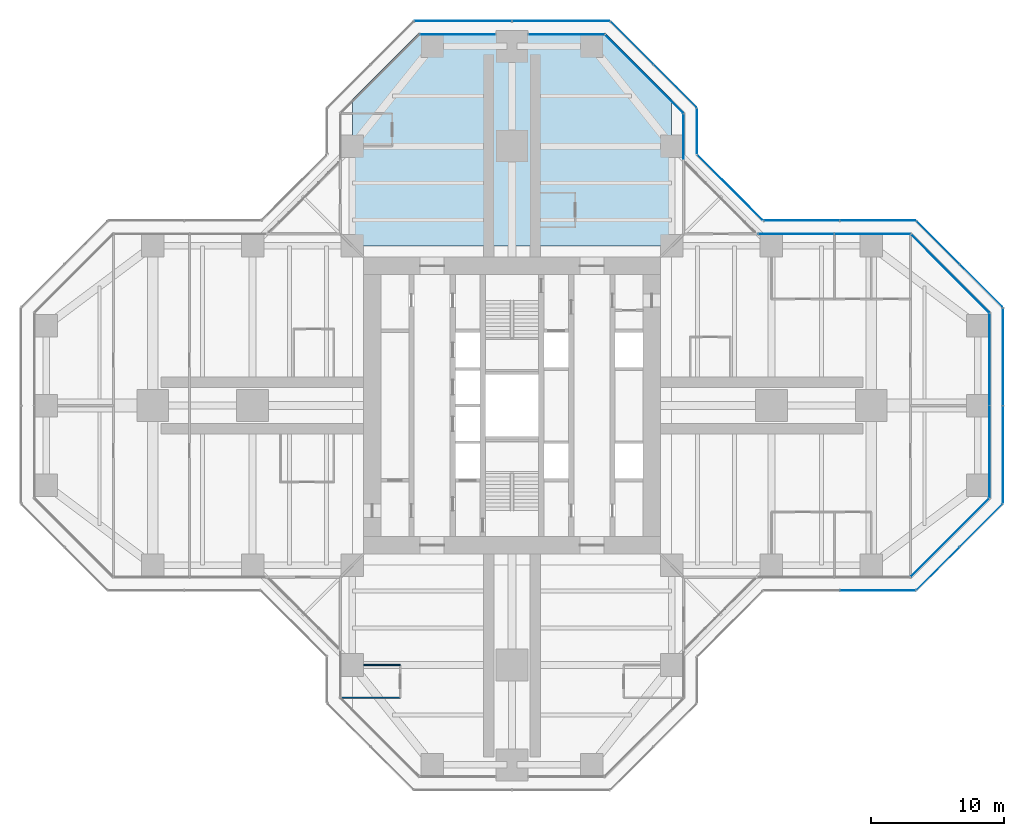
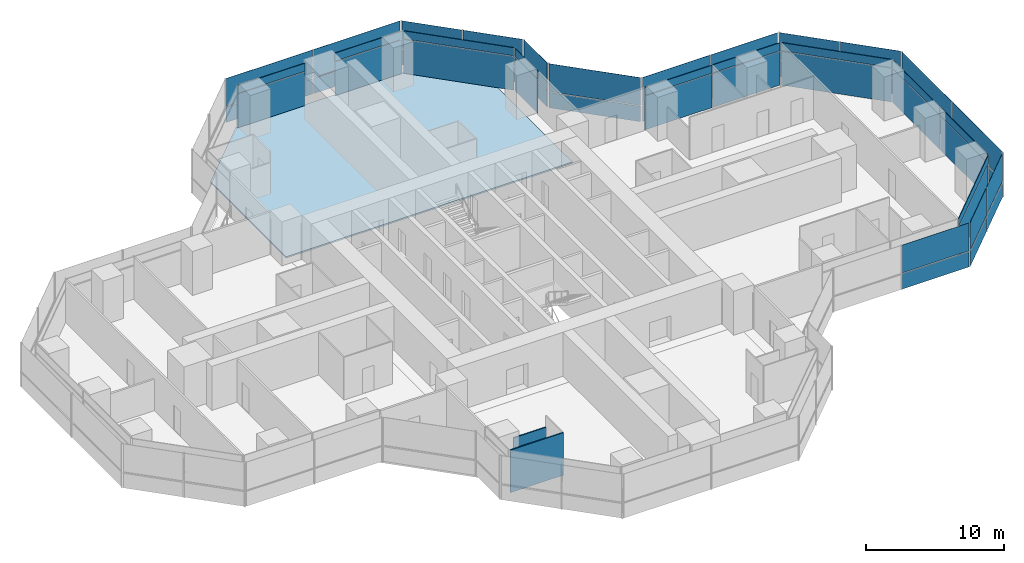
# One storey, part 14 of 20: 50 plates, 2 walls, 1 slab, 17 elements without a shape of their own.
"""IFC4 building model written with IfcOpenShell, lengths in metres."""

from ifc_helpers import new_model, si_unit, direction, frame, frame_2d, origin, origin_2d, place, context, subcontext, project, spatial, polyline, rectangle, outline, extrude, material, layer, layer_set, type_object, element, aggregate, save


model = new_model("IFC4")

# Units and contexts
model_context = context("Model", 3, precision=1e-05, world=origin(), true_north=direction((0.0, 1.0)))
body_context = subcontext(model_context, "Body", "Model", "MODEL_VIEW")
ifc_project = project(units=[si_unit("LENGTHUNIT", "METRE"), si_unit("AREAUNIT", "SQUARE_METRE"), si_unit("VOLUMEUNIT", "CUBIC_METRE"), si_unit("PLANEANGLEUNIT", "RADIAN"), si_unit("MASSUNIT", "GRAM", prefix="KILO")], contexts=[model_context])

# Site, building, storey
site_placement = place(None, origin())
site = spatial("IfcSite", under=ifc_project, at=site_placement, CompositionType="ELEMENT")
building_placement = place(site_placement, origin())
building = spatial("IfcBuilding", under=site, at=building_placement, Name="Mizan Broadcast Tower", CompositionType="ELEMENT")
storey_placement = place(building_placement, frame((0.0, 0.0, 151.5)))
storey = spatial("IfcBuildingStorey", under=building, at=storey_placement, Name="L34", CompositionType="ELEMENT", Elevation=151.5)

# Slab
ifc_material_1 = material(Name="Concrete C32/40", Category="concrete")
ifc_layer_1 = layer(ifc_material_1, 0.1298828125)
ifc_layer_set_1 = layer_set([ifc_layer_1], Name="Concrete C32/40")
slab_type = type_object("IfcSlabType", Name="COMPOSITE DECK SLAB 130", PredefinedType="FLOOR", material=ifc_layer_set_1)
slab_placement = place(storey_placement, frame((0.0, 0.0, -0.1298828125)))
element("IfcSlab", 1, at=slab_placement, inside=storey, type_object=slab_type, Name="Floor slab L34 north arm", PredefinedType="FLOOR", context=body_context, shape_type="SweptSolid", body=[
    extrude(outline(polyline([(-7.0, 28.0), (-12.0, 23.0), (-12.0, 12.0), (12.0, 12.0), (12.0, 23.0), (7.0, 28.0), (-7.0, 28.0)])), origin(), (0.0, 0.0, 1.0), 0.1298828125),
])

# Curtain wall, plate
ifc_material_2 = material(Name="Aluminium framed glazing", Category="aluminium")
curtain_wall_type_1 = type_object("IfcCurtainWallType", Name="INNER SKIN MID ZONE", PredefinedType="USERDEFINED", material=ifc_material_2)
curtain_wall_1_placement = place(storey_placement, origin())
curtain_wall_1 = element("IfcCurtainWall", 2, at=curtain_wall_1_placement, inside=storey, type_object=curtain_wall_type_1, Name="Inner skin mid zone L34 E chamfer", ObjectType="INNER SKIN MID ZONE", PredefinedType="USERDEFINED")
ifc_material_3 = material(Name="Double glazing, clear low-e", Category="glass")
ifc_layer_2 = layer(ifc_material_3, 0.028076171875)
ifc_layer_set_2 = layer_set([ifc_layer_2], Name="Double glazing, clear low-e")
plate_type_1 = type_object("IfcPlateType", Name="INNER SKIN GLAZING UNIT", PredefinedType="CURTAIN_PANEL", material=ifc_layer_set_2)
plate_1_placement = place(storey_placement, frame((32.92919921875, -9.92919921875, 0.0), z_axis=(0.0, 0.0, 1.0), x_axis=(0.707106781187, 0.707106781187, 0.0)))
plate_1 = element("IfcPlate", 3, at=plate_1_placement, type_object=plate_type_1, Name="Inner skin mid zone L34 E chamfer panel 1.1", PredefinedType="CURTAIN_PANEL", context=body_context, shape_type="SweptSolid", body=[
    extrude(rectangle(XDim=8.282470703125, YDim=0.028076171875, at=origin_2d()), origin(), (0.0, 0.0, 1.0), 3.0),
])

# Curtain wall, plates
curtain_wall_2_placement = place(storey_placement, origin())
curtain_wall_2 = element("IfcCurtainWall", 4, at=curtain_wall_2_placement, inside=storey, type_object=curtain_wall_type_1, Name="Inner skin mid zone L34 E end", ObjectType="INNER SKIN MID ZONE", PredefinedType="USERDEFINED")
plate_2_placement = place(storey_placement, frame((35.89990234375, -3.46435546875, 0.0), z_axis=(0.0, 0.0, 1.0), x_axis=(0.0, 1.0, 0.0)))
plate_2 = element("IfcPlate", 5, at=plate_2_placement, type_object=plate_type_1, Name="Inner skin mid zone L34 E end panel 1.1", PredefinedType="CURTAIN_PANEL", context=body_context, shape_type="SweptSolid", body=[
    extrude(rectangle(XDim=6.86865234375, YDim=0.028076171875, at=origin_2d()), origin(), (0.0, 0.0, 1.0), 3.0),
])
plate_3_placement = place(storey_placement, frame((35.89990234375, 3.46435546875, 0.0), z_axis=(0.0, 0.0, 1.0), x_axis=(0.0, 1.0, 0.0)))
plate_3 = element("IfcPlate", 6, at=plate_3_placement, type_object=plate_type_1, Name="Inner skin mid zone L34 E end panel 2.1", PredefinedType="CURTAIN_PANEL", context=body_context, shape_type="SweptSolid", body=[
    extrude(rectangle(XDim=6.86865234375, YDim=0.028076171875, at=origin_2d()), origin(), (0.0, 0.0, 1.0), 3.0),
])

# Curtain wall, plate
curtain_wall_3_placement = place(storey_placement, origin())
curtain_wall_3 = element("IfcCurtainWall", 7, at=curtain_wall_3_placement, inside=storey, type_object=curtain_wall_type_1, Name="Inner skin mid zone L34 E chamfer", ObjectType="INNER SKIN MID ZONE", PredefinedType="USERDEFINED")
plate_4_placement = place(storey_placement, frame((32.92919921875, 9.92919921875, 0.0), z_axis=(0.0, 0.0, 1.0), x_axis=(-0.707106781187, 0.707106781187, 0.0)))
plate_4 = element("IfcPlate", 8, at=plate_4_placement, type_object=plate_type_1, Name="Inner skin mid zone L34 E chamfer panel 1.1", PredefinedType="CURTAIN_PANEL", context=body_context, shape_type="SweptSolid", body=[
    extrude(rectangle(XDim=8.282470703125, YDim=0.028076171875, at=origin_2d()), origin(), (0.0, 0.0, 1.0), 3.0),
])

# Curtain wall, plates
curtain_wall_4_placement = place(storey_placement, origin())
curtain_wall_4 = element("IfcCurtainWall", 9, at=curtain_wall_4_placement, inside=storey, type_object=curtain_wall_type_1, Name="Inner skin mid zone L34 E side", ObjectType="INNER SKIN MID ZONE", PredefinedType="USERDEFINED")
plate_5_placement = place(storey_placement, frame((27.078857421875, 12.89990234375, 0.0), z_axis=(0.0, 0.0, 1.0), x_axis=(-1.0, 0.0, 0.0)))
plate_5 = element("IfcPlate", 10, at=plate_5_placement, type_object=plate_type_1, Name="Inner skin mid zone L34 E side panel 1.1", PredefinedType="CURTAIN_PANEL", context=body_context, shape_type="SweptSolid", body=[
    extrude(rectangle(XDim=5.639404296875, YDim=0.028076171875, at=origin_2d()), origin(), (0.0, 0.0, 1.0), 3.0),
])
plate_6_placement = place(storey_placement, frame((21.379638671875, 12.89990234375, 0.0), z_axis=(0.0, 0.0, 1.0), x_axis=(-1.0, 0.0, 0.0)))
plate_6 = element("IfcPlate", 11, at=plate_6_placement, type_object=plate_type_1, Name="Inner skin mid zone L34 E side panel 2.1", PredefinedType="CURTAIN_PANEL", context=body_context, shape_type="SweptSolid", body=[
    extrude(rectangle(XDim=5.639404296875, YDim=0.028076171875, at=origin_2d()), origin(), (0.0, 0.0, 1.0), 3.0),
])

# Curtain wall, plate
curtain_wall_5_placement = place(storey_placement, origin())
curtain_wall_5 = element("IfcCurtainWall", 12, at=curtain_wall_5_placement, inside=storey, type_object=curtain_wall_type_1, Name="Inner skin mid zone L34 N side", ObjectType="INNER SKIN MID ZONE", PredefinedType="USERDEFINED")
plate_7_placement = place(storey_placement, frame((12.89990234375, 20.229248046875, 0.0), z_axis=(0.0, 0.0, 1.0), x_axis=(0.0, 1.0, 0.0)))
plate_7 = element("IfcPlate", 13, at=plate_7_placement, type_object=plate_type_1, Name="Inner skin mid zone L34 N side panel 1.1", PredefinedType="CURTAIN_PANEL", context=body_context, shape_type="SweptSolid", body=[
    extrude(rectangle(XDim=3.338623046875, YDim=0.028076171875, at=origin_2d()), origin(), (0.0, 0.0, 1.0), 3.0),
])

curtain_wall_6_placement = place(storey_placement, origin())
curtain_wall_6 = element("IfcCurtainWall", 14, at=curtain_wall_6_placement, inside=storey, type_object=curtain_wall_type_1, Name="Inner skin mid zone L34 N chamfer", ObjectType="INNER SKIN MID ZONE", PredefinedType="USERDEFINED")
plate_8_placement = place(storey_placement, frame((9.92919921875, 24.92919921875, 0.0), z_axis=(0.0, 0.0, 1.0), x_axis=(-0.707106781187, 0.707106781187, 0.0)))
plate_8 = element("IfcPlate", 15, at=plate_8_placement, type_object=plate_type_1, Name="Inner skin mid zone L34 N chamfer panel 1.1", PredefinedType="CURTAIN_PANEL", context=body_context, shape_type="SweptSolid", body=[
    extrude(rectangle(XDim=8.282470703125, YDim=0.028076171875, at=origin_2d()), origin(), (0.0, 0.0, 1.0), 3.0),
])

curtain_wall_7_placement = place(storey_placement, origin())
curtain_wall_7 = element("IfcCurtainWall", 16, at=curtain_wall_7_placement, inside=storey, type_object=curtain_wall_type_1, Name="Inner skin mid zone L34 N end", ObjectType="INNER SKIN MID ZONE", PredefinedType="USERDEFINED")
plate_9_placement = place(storey_placement, frame((4.079345703125, 27.89990234375, 0.0), z_axis=(0.0, 0.0, 1.0), x_axis=(-1.0, 0.0, 0.0)))
plate_9 = element("IfcPlate", 17, at=plate_9_placement, type_object=plate_type_1, Name="Inner skin mid zone L34 N end panel 1.1", PredefinedType="CURTAIN_PANEL", context=body_context, shape_type="SweptSolid", body=[
    extrude(rectangle(XDim=5.638671875, YDim=0.028076171875, at=origin_2d()), origin(), (0.0, 0.0, 1.0), 3.0),
])

curtain_wall_8_placement = place(storey_placement, origin())
curtain_wall_8 = element("IfcCurtainWall", 18, at=curtain_wall_8_placement, inside=storey, type_object=curtain_wall_type_1, Name="Inner skin mid zone L34 N end", ObjectType="INNER SKIN MID ZONE", PredefinedType="USERDEFINED")
plate_10_placement = place(storey_placement, frame((-4.079345703125, 27.89990234375, 0.0), z_axis=(0.0, 0.0, 1.0), x_axis=(-1.0, 0.0, 0.0)))
plate_10 = element("IfcPlate", 19, at=plate_10_placement, type_object=plate_type_1, Name="Inner skin mid zone L34 N end panel 1.1", PredefinedType="CURTAIN_PANEL", context=body_context, shape_type="SweptSolid", body=[
    extrude(rectangle(XDim=5.638671875, YDim=0.028076171875, at=origin_2d()), origin(), (0.0, 0.0, 1.0), 3.0),
])

# Plate
ifc_material_4 = material(Name="Insulated aluminium spandrel panel, pale anodised", Category="aluminium")
ifc_layer_3 = layer(ifc_material_4, 0.050048828125)
ifc_layer_set_3 = layer_set([ifc_layer_3], Name="Insulated aluminium spandrel panel, pale anodised")
plate_type_2 = type_object("IfcPlateType", Name="INNER SKIN SPANDREL PANEL", PredefinedType="CURTAIN_PANEL", material=ifc_layer_set_3)
plate_11_placement = place(storey_placement, frame((32.92919921875, -9.92919921875, 3.06005859375), z_axis=(0.0, 0.0, 1.0), x_axis=(0.707106781187, 0.707106781187, 0.0)))
plate_11 = element("IfcPlate", 20, at=plate_11_placement, type_object=plate_type_2, Name="Inner skin mid zone L34 E chamfer panel 1.2", PredefinedType="CURTAIN_PANEL", context=body_context, shape_type="SweptSolid", body=[
    extrude(rectangle(XDim=8.282470703125, YDim=0.050048828125, at=origin_2d()), origin(), (0.0, 0.0, 1.0), 0.7099609375),
])

aggregate(curtain_wall_1, [plate_1, plate_11])

plate_12_placement = place(storey_placement, frame((35.89990234375, -3.46435546875, 3.06005859375), z_axis=(0.0, 0.0, 1.0), x_axis=(0.0, 1.0, 0.0)))
plate_12 = element("IfcPlate", 21, at=plate_12_placement, type_object=plate_type_2, Name="Inner skin mid zone L34 E end panel 1.2", PredefinedType="CURTAIN_PANEL", context=body_context, shape_type="SweptSolid", body=[
    extrude(rectangle(XDim=6.86865234375, YDim=0.050048828125, at=origin_2d()), origin(), (0.0, 0.0, 1.0), 0.7099609375),
])

plate_13_placement = place(storey_placement, frame((35.89990234375, 3.46435546875, 3.06005859375), z_axis=(0.0, 0.0, 1.0), x_axis=(0.0, 1.0, 0.0)))
plate_13 = element("IfcPlate", 22, at=plate_13_placement, type_object=plate_type_2, Name="Inner skin mid zone L34 E end panel 2.2", PredefinedType="CURTAIN_PANEL", context=body_context, shape_type="SweptSolid", body=[
    extrude(rectangle(XDim=6.86865234375, YDim=0.050048828125, at=origin_2d()), origin(), (0.0, 0.0, 1.0), 0.7099609375),
])

aggregate(curtain_wall_2, [plate_2, plate_12, plate_3, plate_13])

plate_14_placement = place(storey_placement, frame((32.92919921875, 9.92919921875, 3.06005859375), z_axis=(0.0, 0.0, 1.0), x_axis=(-0.707106781187, 0.707106781187, 0.0)))
plate_14 = element("IfcPlate", 23, at=plate_14_placement, type_object=plate_type_2, Name="Inner skin mid zone L34 E chamfer panel 1.2", PredefinedType="CURTAIN_PANEL", context=body_context, shape_type="SweptSolid", body=[
    extrude(rectangle(XDim=8.282470703125, YDim=0.050048828125, at=origin_2d()), origin(), (0.0, 0.0, 1.0), 0.7099609375),
])

aggregate(curtain_wall_3, [plate_4, plate_14])

plate_15_placement = place(storey_placement, frame((27.078857421875, 12.89990234375, 3.06005859375), z_axis=(0.0, 0.0, 1.0), x_axis=(-1.0, 0.0, 0.0)))
plate_15 = element("IfcPlate", 24, at=plate_15_placement, type_object=plate_type_2, Name="Inner skin mid zone L34 E side panel 1.2", PredefinedType="CURTAIN_PANEL", context=body_context, shape_type="SweptSolid", body=[
    extrude(rectangle(XDim=5.639404296875, YDim=0.050048828125, at=origin_2d()), origin(), (0.0, 0.0, 1.0), 0.7099609375),
])

plate_16_placement = place(storey_placement, frame((21.379638671875, 12.89990234375, 3.06005859375), z_axis=(0.0, 0.0, 1.0), x_axis=(-1.0, 0.0, 0.0)))
plate_16 = element("IfcPlate", 25, at=plate_16_placement, type_object=plate_type_2, Name="Inner skin mid zone L34 E side panel 2.2", PredefinedType="CURTAIN_PANEL", context=body_context, shape_type="SweptSolid", body=[
    extrude(rectangle(XDim=5.639404296875, YDim=0.050048828125, at=origin_2d()), origin(), (0.0, 0.0, 1.0), 0.7099609375),
])

aggregate(curtain_wall_4, [plate_5, plate_15, plate_6, plate_16])

plate_17_placement = place(storey_placement, frame((12.89990234375, 20.229248046875, 3.06005859375), z_axis=(0.0, 0.0, 1.0), x_axis=(0.0, 1.0, 0.0)))
plate_17 = element("IfcPlate", 26, at=plate_17_placement, type_object=plate_type_2, Name="Inner skin mid zone L34 N side panel 1.2", PredefinedType="CURTAIN_PANEL", context=body_context, shape_type="SweptSolid", body=[
    extrude(rectangle(XDim=3.338623046875, YDim=0.050048828125, at=origin_2d()), origin(), (0.0, 0.0, 1.0), 0.7099609375),
])

aggregate(curtain_wall_5, [plate_7, plate_17])

plate_18_placement = place(storey_placement, frame((9.92919921875, 24.92919921875, 3.06005859375), z_axis=(0.0, 0.0, 1.0), x_axis=(-0.707106781187, 0.707106781187, 0.0)))
plate_18 = element("IfcPlate", 27, at=plate_18_placement, type_object=plate_type_2, Name="Inner skin mid zone L34 N chamfer panel 1.2", PredefinedType="CURTAIN_PANEL", context=body_context, shape_type="SweptSolid", body=[
    extrude(rectangle(XDim=8.282470703125, YDim=0.050048828125, at=origin_2d()), origin(), (0.0, 0.0, 1.0), 0.7099609375),
])

aggregate(curtain_wall_6, [plate_8, plate_18])

plate_19_placement = place(storey_placement, frame((4.079345703125, 27.89990234375, 3.06005859375), z_axis=(0.0, 0.0, 1.0), x_axis=(-1.0, 0.0, 0.0)))
plate_19 = element("IfcPlate", 28, at=plate_19_placement, type_object=plate_type_2, Name="Inner skin mid zone L34 N end panel 1.2", PredefinedType="CURTAIN_PANEL", context=body_context, shape_type="SweptSolid", body=[
    extrude(rectangle(XDim=5.638671875, YDim=0.050048828125, at=origin_2d()), origin(), (0.0, 0.0, 1.0), 0.7099609375),
])

aggregate(curtain_wall_7, [plate_9, plate_19])

plate_20_placement = place(storey_placement, frame((-4.079345703125, 27.89990234375, 3.06005859375), z_axis=(0.0, 0.0, 1.0), x_axis=(-1.0, 0.0, 0.0)))
plate_20 = element("IfcPlate", 29, at=plate_20_placement, type_object=plate_type_2, Name="Inner skin mid zone L34 N end panel 1.2", PredefinedType="CURTAIN_PANEL", context=body_context, shape_type="SweptSolid", body=[
    extrude(rectangle(XDim=5.638671875, YDim=0.050048828125, at=origin_2d()), origin(), (0.0, 0.0, 1.0), 0.7099609375),
])

aggregate(curtain_wall_8, [plate_10, plate_20])

# Curtain wall, plates
ifc_material_5 = material(Name="Aluminium framed glazing", Category="aluminium")
curtain_wall_type_2 = type_object("IfcCurtainWallType", Name="OUTER SKIN", PredefinedType="USERDEFINED", material=ifc_material_5)
curtain_wall_9_placement = place(storey_placement, origin())
curtain_wall_9 = element("IfcCurtainWall", 30, at=curtain_wall_9_placement, inside=storey, type_object=curtain_wall_type_2, Name="Outer skin L34 E chamfer", ObjectType="OUTER SKIN", PredefinedType="USERDEFINED")
ifc_material_6 = material(Name="Laminated clear glass", Category="glass")
ifc_layer_4 = layer(ifc_material_6, 0.02001953125)
ifc_layer_set_4 = layer_set([ifc_layer_4], Name="Laminated clear glass")
plate_type_3 = type_object("IfcPlateType", Name="OUTER SKIN CLEAR GLASS", PredefinedType="CURTAIN_PANEL", material=ifc_layer_set_4)
plate_21_placement = place(storey_placement, frame((32.018798828125, -12.254150390625, 0.0), z_axis=(0.0, 0.0, 1.0), x_axis=(0.707106781187, 0.707106781187, 0.0)))
plate_21 = element("IfcPlate", 31, at=plate_21_placement, type_object=plate_type_3, Name="Outer skin L34 E chamfer panel 1.1", PredefinedType="CURTAIN_PANEL", context=body_context, shape_type="SweptSolid", body=[
    extrude(rectangle(XDim=4.495361328125, YDim=0.02001953125, at=origin_2d()), origin(), (0.0, 0.0, 1.0), 1.3701171875),
])
plate_22_placement = place(storey_placement, frame((32.018798828125, -12.254150390625, 1.43017578125), z_axis=(0.0, 0.0, 1.0), x_axis=(0.707106781187, 0.707106781187, 0.0)))
plate_22 = element("IfcPlate", 32, at=plate_22_placement, type_object=plate_type_3, Name="Outer skin L34 E chamfer panel 1.2", PredefinedType="CURTAIN_PANEL", context=body_context, shape_type="SweptSolid", body=[
    extrude(rectangle(XDim=4.495361328125, YDim=0.02001953125, at=origin_2d()), origin(), (0.0, 0.0, 1.0), 2.469970703125),
])

curtain_wall_10_placement = place(storey_placement, origin())
curtain_wall_10 = element("IfcCurtainWall", 33, at=curtain_wall_10_placement, inside=storey, type_object=curtain_wall_type_2, Name="Outer skin L34 E end", ObjectType="OUTER SKIN", PredefinedType="USERDEFINED")
plate_23_placement = place(storey_placement, frame((36.89990234375, -3.66650390625, 0.0), z_axis=(0.0, 0.0, 1.0), x_axis=(0.0, 1.0, 0.0)))
plate_23 = element("IfcPlate", 34, at=plate_23_placement, type_object=plate_type_3, Name="Outer skin L34 E end panel 1.1", PredefinedType="CURTAIN_PANEL", context=body_context, shape_type="SweptSolid", body=[
    extrude(rectangle(XDim=7.252685546875, YDim=0.02001953125, at=origin_2d()), origin(), (0.0, 0.0, 1.0), 1.3701171875),
])
plate_24_placement = place(storey_placement, frame((36.89990234375, -3.66650390625, 1.43017578125), z_axis=(0.0, 0.0, 1.0), x_axis=(0.0, 1.0, 0.0)))
plate_24 = element("IfcPlate", 35, at=plate_24_placement, type_object=plate_type_3, Name="Outer skin L34 E end panel 1.2", PredefinedType="CURTAIN_PANEL", context=body_context, shape_type="SweptSolid", body=[
    extrude(rectangle(XDim=7.252685546875, YDim=0.02001953125, at=origin_2d()), origin(), (0.0, 0.0, 1.0), 2.469970703125),
])

curtain_wall_11_placement = place(storey_placement, origin())
curtain_wall_11 = element("IfcCurtainWall", 36, at=curtain_wall_11_placement, inside=storey, type_object=curtain_wall_type_2, Name="Outer skin L34 E chamfer", ObjectType="OUTER SKIN", PredefinedType="USERDEFINED")
plate_25_placement = place(storey_placement, frame((35.254150390625, 9.018798828125, 0.0), z_axis=(0.0, 0.0, 1.0), x_axis=(-0.707106781187, 0.707106781187, 0.0)))
plate_25 = element("IfcPlate", 37, at=plate_25_placement, type_object=plate_type_3, Name="Outer skin L34 E chamfer panel 1.1", PredefinedType="CURTAIN_PANEL", context=body_context, shape_type="SweptSolid", body=[
    extrude(rectangle(XDim=4.495361328125, YDim=0.02001953125, at=origin_2d()), origin(), (0.0, 0.0, 1.0), 1.3701171875),
])
plate_26_placement = place(storey_placement, frame((35.254150390625, 9.018798828125, 1.43017578125), z_axis=(0.0, 0.0, 1.0), x_axis=(-0.707106781187, 0.707106781187, 0.0)))
plate_26 = element("IfcPlate", 38, at=plate_26_placement, type_object=plate_type_3, Name="Outer skin L34 E chamfer panel 1.2", PredefinedType="CURTAIN_PANEL", context=body_context, shape_type="SweptSolid", body=[
    extrude(rectangle(XDim=4.495361328125, YDim=0.02001953125, at=origin_2d()), origin(), (0.0, 0.0, 1.0), 2.469970703125),
])

curtain_wall_12_placement = place(storey_placement, origin())
curtain_wall_12 = element("IfcCurtainWall", 39, at=curtain_wall_12_placement, inside=storey, type_object=curtain_wall_type_2, Name="Outer skin L34 E side", ObjectType="OUTER SKIN", PredefinedType="USERDEFINED")
plate_27_placement = place(storey_placement, frame((27.477783203125, 13.89990234375, 0.0), z_axis=(0.0, 0.0, 1.0), x_axis=(-1.0, 0.0, 0.0)))
plate_27 = element("IfcPlate", 40, at=plate_27_placement, type_object=plate_type_3, Name="Outer skin L34 E side panel 1.1", PredefinedType="CURTAIN_PANEL", context=body_context, shape_type="SweptSolid", body=[
    extrude(rectangle(XDim=5.6298828125, YDim=0.02001953125, at=origin_2d()), origin(), (0.0, 0.0, 1.0), 1.3701171875),
])
plate_28_placement = place(storey_placement, frame((27.477783203125, 13.89990234375, 1.43017578125), z_axis=(0.0, 0.0, 1.0), x_axis=(-1.0, 0.0, 0.0)))
plate_28 = element("IfcPlate", 41, at=plate_28_placement, type_object=plate_type_3, Name="Outer skin L34 E side panel 1.2", PredefinedType="CURTAIN_PANEL", context=body_context, shape_type="SweptSolid", body=[
    extrude(rectangle(XDim=5.6298828125, YDim=0.02001953125, at=origin_2d()), origin(), (0.0, 0.0, 1.0), 2.469970703125),
])
plate_29_placement = place(storey_placement, frame((21.767822265625, 13.89990234375, 0.0), z_axis=(0.0, 0.0, 1.0), x_axis=(-1.0, 0.0, 0.0)))
plate_29 = element("IfcPlate", 42, at=plate_29_placement, type_object=plate_type_3, Name="Outer skin L34 E side panel 2.1", PredefinedType="CURTAIN_PANEL", context=body_context, shape_type="SweptSolid", body=[
    extrude(rectangle(XDim=5.6298828125, YDim=0.02001953125, at=origin_2d()), origin(), (0.0, 0.0, 1.0), 1.3701171875),
])
plate_30_placement = place(storey_placement, frame((21.767822265625, 13.89990234375, 1.43017578125), z_axis=(0.0, 0.0, 1.0), x_axis=(-1.0, 0.0, 0.0)))
plate_30 = element("IfcPlate", 43, at=plate_30_placement, type_object=plate_type_3, Name="Outer skin L34 E side panel 2.2", PredefinedType="CURTAIN_PANEL", context=body_context, shape_type="SweptSolid", body=[
    extrude(rectangle(XDim=5.6298828125, YDim=0.02001953125, at=origin_2d()), origin(), (0.0, 0.0, 1.0), 2.469970703125),
])
aggregate(curtain_wall_12, [plate_27, plate_28, plate_29, plate_30])

curtain_wall_13_placement = place(storey_placement, origin())
curtain_wall_13 = element("IfcCurtainWall", 44, at=curtain_wall_13_placement, inside=storey, type_object=curtain_wall_type_2, Name="Outer skin L34 E chamfer", ObjectType="OUTER SKIN", PredefinedType="USERDEFINED")
plate_31_placement = place(storey_placement, frame((16.386474609375, 16.386474609375, 0.0), z_axis=(0.0, 0.0, 1.0), x_axis=(-0.707106781187, 0.707106781187, 0.0)))
plate_31 = element("IfcPlate", 45, at=plate_31_placement, type_object=plate_type_3, Name="Outer skin L34 E chamfer panel 1.1", PredefinedType="CURTAIN_PANEL", context=body_context, shape_type="SweptSolid", body=[
    extrude(rectangle(XDim=6.87255859375, YDim=0.02001953125, at=origin_2d()), origin(), (0.0, 0.0, 1.0), 1.3701171875),
])
plate_32_placement = place(storey_placement, frame((16.386474609375, 16.386474609375, 1.43017578125), z_axis=(0.0, 0.0, 1.0), x_axis=(-0.707106781187, 0.707106781187, 0.0)))
plate_32 = element("IfcPlate", 46, at=plate_32_placement, type_object=plate_type_3, Name="Outer skin L34 E chamfer panel 1.2", PredefinedType="CURTAIN_PANEL", context=body_context, shape_type="SweptSolid", body=[
    extrude(rectangle(XDim=6.87255859375, YDim=0.02001953125, at=origin_2d()), origin(), (0.0, 0.0, 1.0), 2.469970703125),
])
aggregate(curtain_wall_13, [plate_31, plate_32])

curtain_wall_14_placement = place(storey_placement, origin())
curtain_wall_14 = element("IfcCurtainWall", 47, at=curtain_wall_14_placement, inside=storey, type_object=curtain_wall_type_2, Name="Outer skin L34 N side", ObjectType="OUTER SKIN", PredefinedType="USERDEFINED")
plate_33_placement = place(storey_placement, frame((13.89990234375, 20.622802734375, 0.0), z_axis=(0.0, 0.0, 1.0), x_axis=(0.0, 1.0, 0.0)))
plate_33 = element("IfcPlate", 48, at=plate_33_placement, type_object=plate_type_3, Name="Outer skin L34 N side panel 1.1", PredefinedType="CURTAIN_PANEL", context=body_context, shape_type="SweptSolid", body=[
    extrude(rectangle(XDim=3.340087890625, YDim=0.02001953125, at=origin_2d()), origin(), (0.0, 0.0, 1.0), 1.3701171875),
])
plate_34_placement = place(storey_placement, frame((13.89990234375, 20.622802734375, 1.43017578125), z_axis=(0.0, 0.0, 1.0), x_axis=(0.0, 1.0, 0.0)))
plate_34 = element("IfcPlate", 49, at=plate_34_placement, type_object=plate_type_3, Name="Outer skin L34 N side panel 1.2", PredefinedType="CURTAIN_PANEL", context=body_context, shape_type="SweptSolid", body=[
    extrude(rectangle(XDim=3.340087890625, YDim=0.02001953125, at=origin_2d()), origin(), (0.0, 0.0, 1.0), 2.469970703125),
])
aggregate(curtain_wall_14, [plate_33, plate_34])

curtain_wall_15_placement = place(storey_placement, origin())
curtain_wall_15 = element("IfcCurtainWall", 50, at=curtain_wall_15_placement, inside=storey, type_object=curtain_wall_type_2, Name="Outer skin L34 N chamfer", ObjectType="OUTER SKIN", PredefinedType="USERDEFINED")
plate_35_placement = place(storey_placement, frame((12.254150390625, 24.018798828125, 0.0), z_axis=(0.0, 0.0, 1.0), x_axis=(-0.707106781187, 0.707106781187, 0.0)))
plate_35 = element("IfcPlate", 51, at=plate_35_placement, type_object=plate_type_3, Name="Outer skin L34 N chamfer panel 1.1", PredefinedType="CURTAIN_PANEL", context=body_context, shape_type="SweptSolid", body=[
    extrude(rectangle(XDim=4.495361328125, YDim=0.02001953125, at=origin_2d()), origin(), (0.0, 0.0, 1.0), 1.3701171875),
])
plate_36_placement = place(storey_placement, frame((12.254150390625, 24.018798828125, 1.43017578125), z_axis=(0.0, 0.0, 1.0), x_axis=(-0.707106781187, 0.707106781187, 0.0)))
plate_36 = element("IfcPlate", 52, at=plate_36_placement, type_object=plate_type_3, Name="Outer skin L34 N chamfer panel 1.2", PredefinedType="CURTAIN_PANEL", context=body_context, shape_type="SweptSolid", body=[
    extrude(rectangle(XDim=4.495361328125, YDim=0.02001953125, at=origin_2d()), origin(), (0.0, 0.0, 1.0), 2.469970703125),
])

curtain_wall_16_placement = place(storey_placement, origin())
curtain_wall_16 = element("IfcCurtainWall", 53, at=curtain_wall_16_placement, inside=storey, type_object=curtain_wall_type_2, Name="Outer skin L34 N end", ObjectType="OUTER SKIN", PredefinedType="USERDEFINED")
plate_37_placement = place(storey_placement, frame((3.66650390625, 28.89990234375, 0.0), z_axis=(0.0, 0.0, 1.0), x_axis=(-1.0, 0.0, 0.0)))
plate_37 = element("IfcPlate", 54, at=plate_37_placement, type_object=plate_type_3, Name="Outer skin L34 N end panel 1.1", PredefinedType="CURTAIN_PANEL", context=body_context, shape_type="SweptSolid", body=[
    extrude(rectangle(XDim=7.252685546875, YDim=0.02001953125, at=origin_2d()), origin(), (0.0, 0.0, 1.0), 1.3701171875),
])
plate_38_placement = place(storey_placement, frame((3.66650390625, 28.89990234375, 1.43017578125), z_axis=(0.0, 0.0, 1.0), x_axis=(-1.0, 0.0, 0.0)))
plate_38 = element("IfcPlate", 55, at=plate_38_placement, type_object=plate_type_3, Name="Outer skin L34 N end panel 1.2", PredefinedType="CURTAIN_PANEL", context=body_context, shape_type="SweptSolid", body=[
    extrude(rectangle(XDim=7.252685546875, YDim=0.02001953125, at=origin_2d()), origin(), (0.0, 0.0, 1.0), 2.469970703125),
])
plate_39_placement = place(storey_placement, frame((-3.66650390625, 28.89990234375, 0.0), z_axis=(0.0, 0.0, 1.0), x_axis=(-1.0, 0.0, 0.0)))
plate_39 = element("IfcPlate", 56, at=plate_39_placement, type_object=plate_type_3, Name="Outer skin L34 N end panel 2.1", PredefinedType="CURTAIN_PANEL", context=body_context, shape_type="SweptSolid", body=[
    extrude(rectangle(XDim=7.252685546875, YDim=0.02001953125, at=origin_2d()), origin(), (0.0, 0.0, 1.0), 1.3701171875),
])
plate_40_placement = place(storey_placement, frame((-3.66650390625, 28.89990234375, 1.43017578125), z_axis=(0.0, 0.0, 1.0), x_axis=(-1.0, 0.0, 0.0)))
plate_40 = element("IfcPlate", 57, at=plate_40_placement, type_object=plate_type_3, Name="Outer skin L34 N end panel 2.2", PredefinedType="CURTAIN_PANEL", context=body_context, shape_type="SweptSolid", body=[
    extrude(rectangle(XDim=7.252685546875, YDim=0.02001953125, at=origin_2d()), origin(), (0.0, 0.0, 1.0), 2.469970703125),
])
aggregate(curtain_wall_16, [plate_37, plate_38, plate_39, plate_40])

# Plate
ifc_material_7 = material(Name="Perforated aluminium, pale anodised", Category="aluminium")
ifc_layer_5 = layer(ifc_material_7, 0.011962890625)
ifc_layer_set_5 = layer_set([ifc_layer_5], Name="Perforated aluminium, pale anodised")
plate_type_4 = type_object("IfcPlateType", Name="OUTER SKIN PERFORATED SCREEN", PredefinedType="USERDEFINED", material=ifc_layer_set_5)
plate_41_placement = place(storey_placement, frame((35.254150390625, -9.018798828125, 0.0), z_axis=(0.0, 0.0, 1.0), x_axis=(0.707106781187, 0.707106781187, 0.0)))
plate_41 = element("IfcPlate", 58, at=plate_41_placement, type_object=plate_type_4, Name="Outer skin L34 E chamfer panel 2.1", ObjectType="SCREEN", PredefinedType="USERDEFINED", context=body_context, shape_type="SweptSolid", body=[
    extrude(rectangle(XDim=4.495361328125, YDim=0.011962890625, at=origin_2d()), origin(), (0.0, 0.0, 1.0), 1.3701171875),
])

plate_42_placement = place(storey_placement, frame((35.254150390625, -9.018798828125, 1.43017578125), z_axis=(0.0, 0.0, 1.0), x_axis=(0.707106781187, 0.707106781187, 0.0)))
plate_42 = element("IfcPlate", 59, at=plate_42_placement, type_object=plate_type_4, Name="Outer skin L34 E chamfer panel 2.2", ObjectType="SCREEN", PredefinedType="USERDEFINED", context=body_context, shape_type="SweptSolid", body=[
    extrude(rectangle(XDim=4.495361328125, YDim=0.011962890625, at=origin_2d()), origin(), (0.0, 0.0, 1.0), 2.469970703125),
])

aggregate(curtain_wall_9, [plate_21, plate_22, plate_41, plate_42])

plate_43_placement = place(storey_placement, frame((36.89990234375, 3.66650390625, 0.0), z_axis=(0.0, 0.0, 1.0), x_axis=(0.0, 1.0, 0.0)))
plate_43 = element("IfcPlate", 60, at=plate_43_placement, type_object=plate_type_4, Name="Outer skin L34 E end panel 2.1", ObjectType="SCREEN", PredefinedType="USERDEFINED", context=body_context, shape_type="SweptSolid", body=[
    extrude(rectangle(XDim=7.252685546875, YDim=0.011962890625, at=origin_2d()), origin(), (0.0, 0.0, 1.0), 1.3701171875),
])

plate_44_placement = place(storey_placement, frame((36.89990234375, 3.66650390625, 1.43017578125), z_axis=(0.0, 0.0, 1.0), x_axis=(0.0, 1.0, 0.0)))
plate_44 = element("IfcPlate", 61, at=plate_44_placement, type_object=plate_type_4, Name="Outer skin L34 E end panel 2.2", ObjectType="SCREEN", PredefinedType="USERDEFINED", context=body_context, shape_type="SweptSolid", body=[
    extrude(rectangle(XDim=7.252685546875, YDim=0.011962890625, at=origin_2d()), origin(), (0.0, 0.0, 1.0), 2.469970703125),
])

aggregate(curtain_wall_10, [plate_23, plate_24, plate_43, plate_44])

plate_45_placement = place(storey_placement, frame((32.018798828125, 12.254150390625, 0.0), z_axis=(0.0, 0.0, 1.0), x_axis=(-0.707106781187, 0.707106781187, 0.0)))
plate_45 = element("IfcPlate", 62, at=plate_45_placement, type_object=plate_type_4, Name="Outer skin L34 E chamfer panel 2.1", ObjectType="SCREEN", PredefinedType="USERDEFINED", context=body_context, shape_type="SweptSolid", body=[
    extrude(rectangle(XDim=4.495361328125, YDim=0.011962890625, at=origin_2d()), origin(), (0.0, 0.0, 1.0), 1.3701171875),
])

plate_46_placement = place(storey_placement, frame((32.018798828125, 12.254150390625, 1.43017578125), z_axis=(0.0, 0.0, 1.0), x_axis=(-0.707106781187, 0.707106781187, 0.0)))
plate_46 = element("IfcPlate", 63, at=plate_46_placement, type_object=plate_type_4, Name="Outer skin L34 E chamfer panel 2.2", ObjectType="SCREEN", PredefinedType="USERDEFINED", context=body_context, shape_type="SweptSolid", body=[
    extrude(rectangle(XDim=4.495361328125, YDim=0.011962890625, at=origin_2d()), origin(), (0.0, 0.0, 1.0), 2.469970703125),
])

aggregate(curtain_wall_11, [plate_25, plate_26, plate_45, plate_46])

plate_47_placement = place(storey_placement, frame((9.018798828125, 27.254150390625, 0.0), z_axis=(0.0, 0.0, 1.0), x_axis=(-0.707106781187, 0.707106781187, 0.0)))
plate_47 = element("IfcPlate", 64, at=plate_47_placement, type_object=plate_type_4, Name="Outer skin L34 N chamfer panel 2.1", ObjectType="SCREEN", PredefinedType="USERDEFINED", context=body_context, shape_type="SweptSolid", body=[
    extrude(rectangle(XDim=4.495361328125, YDim=0.011962890625, at=origin_2d()), origin(), (0.0, 0.0, 1.0), 1.3701171875),
])

plate_48_placement = place(storey_placement, frame((9.018798828125, 27.254150390625, 1.43017578125), z_axis=(0.0, 0.0, 1.0), x_axis=(-0.707106781187, 0.707106781187, 0.0)))
plate_48 = element("IfcPlate", 65, at=plate_48_placement, type_object=plate_type_4, Name="Outer skin L34 N chamfer panel 2.2", ObjectType="SCREEN", PredefinedType="USERDEFINED", context=body_context, shape_type="SweptSolid", body=[
    extrude(rectangle(XDim=4.495361328125, YDim=0.011962890625, at=origin_2d()), origin(), (0.0, 0.0, 1.0), 2.469970703125),
])

aggregate(curtain_wall_15, [plate_35, plate_36, plate_47, plate_48])

# Curtain wall, plates
curtain_wall_17_placement = place(storey_placement, origin())
curtain_wall_17 = element("IfcCurtainWall", 66, at=curtain_wall_17_placement, inside=storey, type_object=curtain_wall_type_2, Name="Outer skin L34 E side", ObjectType="OUTER SKIN", PredefinedType="USERDEFINED")
plate_49_placement = place(storey_placement, frame((27.477783203125, -13.89990234375, 0.0), z_axis=(0.0, 0.0, 1.0), x_axis=(1.0, 0.0, 0.0)))
plate_49 = element("IfcPlate", 67, at=plate_49_placement, type_object=plate_type_4, Name="Outer skin L34 E side panel 2.1", ObjectType="SCREEN", PredefinedType="USERDEFINED", context=body_context, shape_type="SweptSolid", body=[
    extrude(rectangle(XDim=5.6298828125, YDim=0.011962890625, at=origin_2d()), origin(), (0.0, 0.0, 1.0), 1.3701171875),
])
plate_50_placement = place(storey_placement, frame((27.477783203125, -13.89990234375, 1.43017578125), z_axis=(0.0, 0.0, 1.0), x_axis=(1.0, 0.0, 0.0)))
plate_50 = element("IfcPlate", 68, at=plate_50_placement, type_object=plate_type_4, Name="Outer skin L34 E side panel 2.2", ObjectType="SCREEN", PredefinedType="USERDEFINED", context=body_context, shape_type="SweptSolid", body=[
    extrude(rectangle(XDim=5.6298828125, YDim=0.011962890625, at=origin_2d()), origin(), (0.0, 0.0, 1.0), 2.469970703125),
])
aggregate(curtain_wall_17, [plate_49, plate_50])

# Walls
ifc_material_8 = material(Name="Glazed aluminium partition on aluminium track", Category="aluminium")
ifc_layer_6 = layer(ifc_material_8, 0.10009765625)
ifc_layer_set_6 = layer_set([ifc_layer_6], Name="Glazed aluminium partition on aluminium track")
wall_type = type_object("IfcWallType", Name="PARTITION GLAZED OFFICE FRONT 100", PredefinedType="PARTITIONING", material=ifc_layer_set_6)
wall_1_placement = place(storey_placement, frame((-8.39990234375, -19.5, 0.0), z_axis=(0.0, 0.0, 1.0), x_axis=(-1.0, 0.0, 0.0)))
element("IfcWall", 69, at=wall_1_placement, inside=storey, type_object=wall_type, Name="Glazed office front PT/SQN1950", PredefinedType="PARTITIONING", context=body_context, shape_type="SweptSolid", body=[
    extrude(rectangle(XDim=2.75, YDim=0.10009765625, at=frame_2d((1.375, 0.0))), origin(), (0.0, 0.0, 1.0), 2.77001953125),
])
wall_2_placement = place(storey_placement, frame((-8.39990234375, -21.958984375, 0.0), z_axis=(0.0, 0.0, 1.0), x_axis=(-1.0, 0.0, 0.0)))
element("IfcWall", 70, at=wall_2_placement, inside=storey, type_object=wall_type, Name="Glazed office front PT/SQN2196", PredefinedType="PARTITIONING", context=body_context, shape_type="SweptSolid", body=[
    extrude(rectangle(XDim=4.420166015625, YDim=0.10009765625, at=frame_2d((2.2099609375, 0.0))), origin(), (0.0, 0.0, 1.0), 3.77001953125),
])

save(model, "model.ifc")
